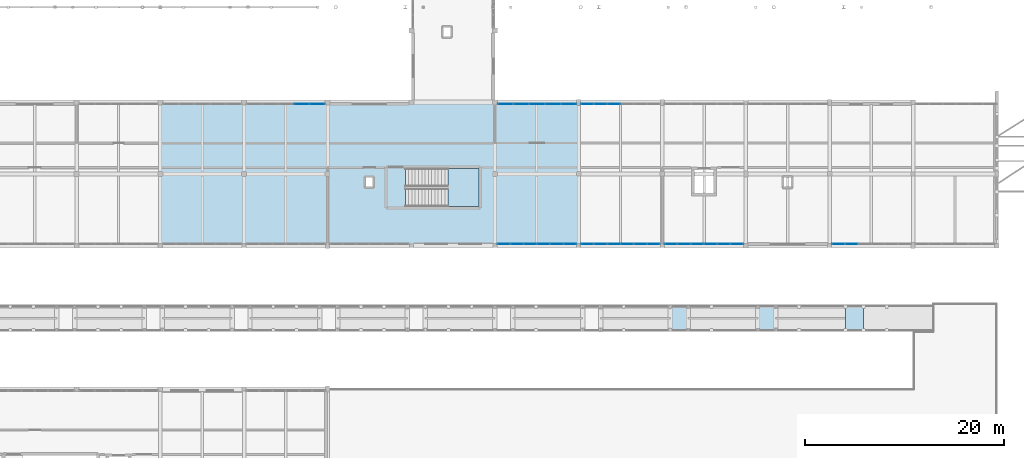
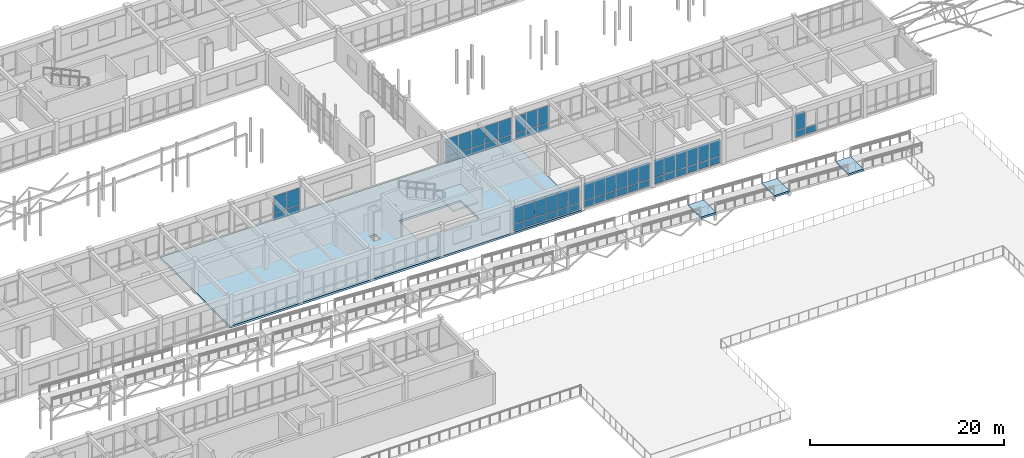
# One storey, part 65 of 89: 59 plates, 5 slabs, 9 elements without a shape of their own.
"""IFC4 building model written with IfcOpenShell, lengths in metres."""

from ifc_helpers import new_model, si_unit, direction, frame, origin, origin_2d, place, context, subcontext, project, spatial, polyline, rectangle, outline, extrude, material, layer, layer_set, type_object, element, aggregate, save


model = new_model("IFC4")

# Units and contexts
model_context = context("Model", 3, precision=1e-05, world=origin(), true_north=direction((0.0, 1.0)))
body_context = subcontext(model_context, "Body", "Model", "MODEL_VIEW")
ifc_project = project(units=[si_unit("LENGTHUNIT", "METRE"), si_unit("AREAUNIT", "SQUARE_METRE"), si_unit("VOLUMEUNIT", "CUBIC_METRE"), si_unit("PLANEANGLEUNIT", "RADIAN"), si_unit("MASSUNIT", "GRAM", prefix="KILO")], contexts=[model_context])

# Site, building, storey
site_placement = place(None, origin())
site = spatial("IfcSite", under=ifc_project, at=site_placement, CompositionType="ELEMENT")
building_placement = place(site_placement, origin())
building = spatial("IfcBuilding", under=site, at=building_placement, Name="Malvenik Polytechnic", CompositionType="ELEMENT")
storey_placement = place(building_placement, frame((0.0, 0.0, 13.5)))
storey = spatial("IfcBuildingStorey", under=building, at=storey_placement, Name="L03", CompositionType="ELEMENT", Elevation=13.5)

# Curtain wall, plates
ifc_material_1 = material(Name="Anodised aluminium 6060-T6", Category="aluminium")
curtain_wall_type = type_object("IfcCurtainWallType", Name="ARC-CW-CW-02", PredefinedType="NOTDEFINED", material=ifc_material_1)
curtain_wall_1_placement = place(storey_placement, origin())
curtain_wall_1 = element("IfcCurtainWall", 1, at=curtain_wall_1_placement, inside=storey, type_object=curtain_wall_type, Name="Unitised Curtain Wall CW-02 L03 #166", PredefinedType="NOTDEFINED")
ifc_material_2 = material(Name="Insulated low-E double glazing 8-16-8", Category="glass")
ifc_layer_1 = layer(ifc_material_2, 0.028076171875)
ifc_layer_set_1 = layer_set([ifc_layer_1], Name="Insulated low-E double glazing 8-16-8")
plate_type_1 = type_object("IfcPlateType", Name="ARC-CWP-CP-GLZ28", PredefinedType="CURTAIN_PANEL", material=ifc_layer_set_1)
plate_1_placement = place(storey_placement, frame((64.580810546875, 93.429931640625, 0.929931640625), z_axis=(0.0, 0.0, 1.0), x_axis=(1.0, 0.0, 0.0)))
plate_1 = element("IfcPlate", 2, at=plate_1_placement, type_object=plate_type_1, Name="CW-02 panel 4.2", PredefinedType="CURTAIN_PANEL", context=body_context, shape_type="SweptSolid", body=[
    extrude(rectangle(XDim=1.520751953125, YDim=0.028076171875, at=origin_2d()), origin(), (0.0, 0.0, 1.0), 2.169921875),
])
plate_2_placement = place(storey_placement, frame((66.146484375, 93.429931640625, 0.929931640625), z_axis=(0.0, 0.0, 1.0), x_axis=(1.0, 0.0, 0.0)))
plate_2 = element("IfcPlate", 3, at=plate_2_placement, type_object=plate_type_1, Name="CW-02 panel 5.2", PredefinedType="CURTAIN_PANEL", context=body_context, shape_type="SweptSolid", body=[
    extrude(rectangle(XDim=1.49072265625, YDim=0.028076171875, at=origin_2d()), origin(), (0.0, 0.0, 1.0), 2.169921875),
])

curtain_wall_2_placement = place(storey_placement, origin())
curtain_wall_2 = element("IfcCurtainWall", 4, at=curtain_wall_2_placement, inside=storey, type_object=curtain_wall_type, Name="Unitised Curtain Wall CW-02 L03 #188", PredefinedType="NOTDEFINED")
plate_3_placement = place(storey_placement, frame((85.058349609375, 93.429931640625, 0.929931640625), z_axis=(0.0, 0.0, 1.0), x_axis=(1.0, 0.0, 0.0)))
plate_3 = element("IfcPlate", 5, at=plate_3_placement, type_object=plate_type_1, Name="CW-02 panel 1.2", PredefinedType="CURTAIN_PANEL", context=body_context, shape_type="SweptSolid", body=[
    extrude(rectangle(XDim=1.500732421875, YDim=0.028076171875, at=origin_2d()), origin(), (0.0, 0.0, 1.0), 2.169921875),
])
plate_4_placement = place(storey_placement, frame((86.63427734375, 93.429931640625, 0.929931640625), z_axis=(0.0, 0.0, 1.0), x_axis=(1.0, 0.0, 0.0)))
plate_4 = element("IfcPlate", 6, at=plate_4_placement, type_object=plate_type_1, Name="CW-02 panel 2.2", PredefinedType="CURTAIN_PANEL", context=body_context, shape_type="SweptSolid", body=[
    extrude(rectangle(XDim=1.53076171875, YDim=0.028076171875, at=origin_2d()), origin(), (0.0, 0.0, 1.0), 2.169921875),
])
plate_5_placement = place(storey_placement, frame((88.22509765625, 93.429931640625, 0.929931640625), z_axis=(0.0, 0.0, 1.0), x_axis=(1.0, 0.0, 0.0)))
plate_5 = element("IfcPlate", 7, at=plate_5_placement, type_object=plate_type_1, Name="CW-02 panel 3.2", PredefinedType="CURTAIN_PANEL", context=body_context, shape_type="SweptSolid", body=[
    extrude(rectangle(XDim=1.53076171875, YDim=0.028076171875, at=origin_2d()), origin(), (0.0, 0.0, 1.0), 2.169921875),
])
plate_6_placement = place(storey_placement, frame((89.81591796875, 93.429931640625, 0.929931640625), z_axis=(0.0, 0.0, 1.0), x_axis=(1.0, 0.0, 0.0)))
plate_6 = element("IfcPlate", 8, at=plate_6_placement, type_object=plate_type_1, Name="CW-02 panel 4.2", PredefinedType="CURTAIN_PANEL", context=body_context, shape_type="SweptSolid", body=[
    extrude(rectangle(XDim=1.53076171875, YDim=0.028076171875, at=origin_2d()), origin(), (0.0, 0.0, 1.0), 2.169921875),
])
plate_7_placement = place(storey_placement, frame((91.3916015625, 93.429931640625, 0.929931640625), z_axis=(0.0, 0.0, 1.0), x_axis=(1.0, 0.0, 0.0)))
plate_7 = element("IfcPlate", 9, at=plate_7_placement, type_object=plate_type_1, Name="CW-02 panel 5.2", PredefinedType="CURTAIN_PANEL", context=body_context, shape_type="SweptSolid", body=[
    extrude(rectangle(XDim=1.500732421875, YDim=0.028076171875, at=origin_2d()), origin(), (0.0, 0.0, 1.0), 2.169921875),
])

curtain_wall_3_placement = place(storey_placement, origin())
curtain_wall_3 = element("IfcCurtainWall", 10, at=curtain_wall_3_placement, inside=storey, type_object=curtain_wall_type, Name="Unitised Curtain Wall CW-02 L03 #189", PredefinedType="NOTDEFINED")
plate_8_placement = place(storey_placement, frame((93.280029296875, 93.429931640625, 0.929931640625), z_axis=(0.0, 0.0, 1.0), x_axis=(1.0, 0.0, 0.0)))
plate_8 = element("IfcPlate", 11, at=plate_8_placement, type_object=plate_type_1, Name="CW-02 panel 1.2", PredefinedType="CURTAIN_PANEL", context=body_context, shape_type="SweptSolid", body=[
    extrude(rectangle(XDim=1.243896484375, YDim=0.028076171875, at=origin_2d()), origin(), (0.0, 0.0, 1.0), 2.169921875),
])
plate_9_placement = place(storey_placement, frame((94.59912109375, 93.429931640625, 0.929931640625), z_axis=(0.0, 0.0, 1.0), x_axis=(1.0, 0.0, 0.0)))
plate_9 = element("IfcPlate", 12, at=plate_9_placement, type_object=plate_type_1, Name="CW-02 panel 2.2", PredefinedType="CURTAIN_PANEL", context=body_context, shape_type="SweptSolid", body=[
    extrude(rectangle(XDim=1.27392578125, YDim=0.028076171875, at=origin_2d()), origin(), (0.0, 0.0, 1.0), 2.169921875),
])
plate_10_placement = place(storey_placement, frame((95.93310546875, 93.429931640625, 0.929931640625), z_axis=(0.0, 0.0, 1.0), x_axis=(1.0, 0.0, 0.0)))
plate_10 = element("IfcPlate", 13, at=plate_10_placement, type_object=plate_type_1, Name="CW-02 panel 3.2", PredefinedType="CURTAIN_PANEL", context=body_context, shape_type="SweptSolid", body=[
    extrude(rectangle(XDim=1.27392578125, YDim=0.028076171875, at=origin_2d()), origin(), (0.0, 0.0, 1.0), 2.169921875),
])

# Curtain wall, plate
curtain_wall_4_placement = place(storey_placement, origin())
curtain_wall_4 = element("IfcCurtainWall", 14, at=curtain_wall_4_placement, inside=storey, type_object=curtain_wall_type, Name="Unitised Curtain Wall CW-02 L03 #194", PredefinedType="NOTDEFINED")
plate_11_placement = place(storey_placement, frame((118.47998046875, 79.3701171875, 0.929931640625), z_axis=(0.0, 0.0, 1.0), x_axis=(-1.0, 0.0, 0.0)))
plate_11 = element("IfcPlate", 15, at=plate_11_placement, type_object=plate_type_1, Name="CW-02 panel 6.2", PredefinedType="CURTAIN_PANEL", context=body_context, shape_type="SweptSolid", body=[
    extrude(rectangle(XDim=1.243896484375, YDim=0.028076171875, at=origin_2d()), origin(), (0.0, 0.0, 1.0), 2.169921875),
])

# Curtain wall, plates
curtain_wall_5_placement = place(storey_placement, origin())
curtain_wall_5 = element("IfcCurtainWall", 16, at=curtain_wall_5_placement, inside=storey, type_object=curtain_wall_type, Name="Unitised Curtain Wall CW-02 L03 #195", PredefinedType="NOTDEFINED")
plate_12_placement = place(storey_placement, frame((108.297119140625, 79.3701171875, 0.929931640625), z_axis=(0.0, 0.0, 1.0), x_axis=(-1.0, 0.0, 0.0)))
plate_12 = element("IfcPlate", 17, at=plate_12_placement, type_object=plate_type_1, Name="CW-02 panel 1.2", PredefinedType="CURTAIN_PANEL", context=body_context, shape_type="SweptSolid", body=[
    extrude(rectangle(XDim=1.23974609375, YDim=0.028076171875, at=origin_2d()), origin(), (0.0, 0.0, 1.0), 2.169921875),
])
plate_13_placement = place(storey_placement, frame((106.982177734375, 79.3701171875, 0.929931640625), z_axis=(0.0, 0.0, 1.0), x_axis=(-1.0, 0.0, 0.0)))
plate_13 = element("IfcPlate", 18, at=plate_13_placement, type_object=plate_type_1, Name="CW-02 panel 2.2", PredefinedType="CURTAIN_PANEL", context=body_context, shape_type="SweptSolid", body=[
    extrude(rectangle(XDim=1.269775390625, YDim=0.028076171875, at=origin_2d()), origin(), (0.0, 0.0, 1.0), 2.169921875),
])
plate_14_placement = place(storey_placement, frame((105.65234375, 79.3701171875, 0.929931640625), z_axis=(0.0, 0.0, 1.0), x_axis=(-1.0, 0.0, 0.0)))
plate_14 = element("IfcPlate", 19, at=plate_14_placement, type_object=plate_type_1, Name="CW-02 panel 3.2", PredefinedType="CURTAIN_PANEL", context=body_context, shape_type="SweptSolid", body=[
    extrude(rectangle(XDim=1.269775390625, YDim=0.028076171875, at=origin_2d()), origin(), (0.0, 0.0, 1.0), 2.169921875),
])
plate_15_placement = place(storey_placement, frame((104.322509765625, 79.3701171875, 0.929931640625), z_axis=(0.0, 0.0, 1.0), x_axis=(-1.0, 0.0, 0.0)))
plate_15 = element("IfcPlate", 20, at=plate_15_placement, type_object=plate_type_1, Name="CW-02 panel 4.2", PredefinedType="CURTAIN_PANEL", context=body_context, shape_type="SweptSolid", body=[
    extrude(rectangle(XDim=1.269775390625, YDim=0.028076171875, at=origin_2d()), origin(), (0.0, 0.0, 1.0), 2.169921875),
])
plate_16_placement = place(storey_placement, frame((102.99267578125, 79.3701171875, 0.929931640625), z_axis=(0.0, 0.0, 1.0), x_axis=(-1.0, 0.0, 0.0)))
plate_16 = element("IfcPlate", 21, at=plate_16_placement, type_object=plate_type_1, Name="CW-02 panel 5.2", PredefinedType="CURTAIN_PANEL", context=body_context, shape_type="SweptSolid", body=[
    extrude(rectangle(XDim=1.269775390625, YDim=0.028076171875, at=origin_2d()), origin(), (0.0, 0.0, 1.0), 2.169921875),
])
plate_17_placement = place(storey_placement, frame((101.677978515625, 79.3701171875, 0.929931640625), z_axis=(0.0, 0.0, 1.0), x_axis=(-1.0, 0.0, 0.0)))
plate_17 = element("IfcPlate", 22, at=plate_17_placement, type_object=plate_type_1, Name="CW-02 panel 6.2", PredefinedType="CURTAIN_PANEL", context=body_context, shape_type="SweptSolid", body=[
    extrude(rectangle(XDim=1.23974609375, YDim=0.028076171875, at=origin_2d()), origin(), (0.0, 0.0, 1.0), 2.169921875),
])

curtain_wall_6_placement = place(storey_placement, origin())
curtain_wall_6 = element("IfcCurtainWall", 23, at=curtain_wall_6_placement, inside=storey, type_object=curtain_wall_type, Name="Unitised Curtain Wall CW-02 L03 #196", PredefinedType="NOTDEFINED")
plate_18_placement = place(storey_placement, frame((99.919921875, 79.3701171875, 0.929931640625), z_axis=(0.0, 0.0, 1.0), x_axis=(-1.0, 0.0, 0.0)))
plate_18 = element("IfcPlate", 24, at=plate_18_placement, type_object=plate_type_1, Name="CW-02 panel 1.2", PredefinedType="CURTAIN_PANEL", context=body_context, shape_type="SweptSolid", body=[
    extrude(rectangle(XDim=1.243896484375, YDim=0.028076171875, at=origin_2d()), origin(), (0.0, 0.0, 1.0), 2.169921875),
])
plate_19_placement = place(storey_placement, frame((98.60107421875, 79.3701171875, 0.929931640625), z_axis=(0.0, 0.0, 1.0), x_axis=(-1.0, 0.0, 0.0)))
plate_19 = element("IfcPlate", 25, at=plate_19_placement, type_object=plate_type_1, Name="CW-02 panel 2.2", PredefinedType="CURTAIN_PANEL", context=body_context, shape_type="SweptSolid", body=[
    extrude(rectangle(XDim=1.27392578125, YDim=0.028076171875, at=origin_2d()), origin(), (0.0, 0.0, 1.0), 2.169921875),
])
plate_20_placement = place(storey_placement, frame((97.26708984375, 79.3701171875, 0.929931640625), z_axis=(0.0, 0.0, 1.0), x_axis=(-1.0, 0.0, 0.0)))
plate_20 = element("IfcPlate", 26, at=plate_20_placement, type_object=plate_type_1, Name="CW-02 panel 3.2", PredefinedType="CURTAIN_PANEL", context=body_context, shape_type="SweptSolid", body=[
    extrude(rectangle(XDim=1.27392578125, YDim=0.028076171875, at=origin_2d()), origin(), (0.0, 0.0, 1.0), 2.169921875),
])
plate_21_placement = place(storey_placement, frame((95.93310546875, 79.3701171875, 0.929931640625), z_axis=(0.0, 0.0, 1.0), x_axis=(-1.0, 0.0, 0.0)))
plate_21 = element("IfcPlate", 27, at=plate_21_placement, type_object=plate_type_1, Name="CW-02 panel 4.2", PredefinedType="CURTAIN_PANEL", context=body_context, shape_type="SweptSolid", body=[
    extrude(rectangle(XDim=1.27392578125, YDim=0.028076171875, at=origin_2d()), origin(), (0.0, 0.0, 1.0), 2.169921875),
])
plate_22_placement = place(storey_placement, frame((94.59912109375, 79.3701171875, 0.929931640625), z_axis=(0.0, 0.0, 1.0), x_axis=(-1.0, 0.0, 0.0)))
plate_22 = element("IfcPlate", 28, at=plate_22_placement, type_object=plate_type_1, Name="CW-02 panel 5.2", PredefinedType="CURTAIN_PANEL", context=body_context, shape_type="SweptSolid", body=[
    extrude(rectangle(XDim=1.27392578125, YDim=0.028076171875, at=origin_2d()), origin(), (0.0, 0.0, 1.0), 2.169921875),
])
plate_23_placement = place(storey_placement, frame((93.280029296875, 79.3701171875, 0.929931640625), z_axis=(0.0, 0.0, 1.0), x_axis=(-1.0, 0.0, 0.0)))
plate_23 = element("IfcPlate", 29, at=plate_23_placement, type_object=plate_type_1, Name="CW-02 panel 6.2", PredefinedType="CURTAIN_PANEL", context=body_context, shape_type="SweptSolid", body=[
    extrude(rectangle(XDim=1.243896484375, YDim=0.028076171875, at=origin_2d()), origin(), (0.0, 0.0, 1.0), 2.169921875),
])

curtain_wall_7_placement = place(storey_placement, origin())
curtain_wall_7 = element("IfcCurtainWall", 30, at=curtain_wall_7_placement, inside=storey, type_object=curtain_wall_type, Name="Unitised Curtain Wall CW-02 L03 #197", PredefinedType="NOTDEFINED")
plate_24_placement = place(storey_placement, frame((91.52001953125, 79.3701171875, 0.929931640625), z_axis=(0.0, 0.0, 1.0), x_axis=(-1.0, 0.0, 0.0)))
plate_24 = element("IfcPlate", 31, at=plate_24_placement, type_object=plate_type_1, Name="CW-02 panel 1.2", PredefinedType="CURTAIN_PANEL", context=body_context, shape_type="SweptSolid", body=[
    extrude(rectangle(XDim=1.243896484375, YDim=0.028076171875, at=origin_2d()), origin(), (0.0, 0.0, 1.0), 2.169921875),
])
plate_25_placement = place(storey_placement, frame((90.200927734375, 79.3701171875, 0.929931640625), z_axis=(0.0, 0.0, 1.0), x_axis=(-1.0, 0.0, 0.0)))
plate_25 = element("IfcPlate", 32, at=plate_25_placement, type_object=plate_type_1, Name="CW-02 panel 2.2", PredefinedType="CURTAIN_PANEL", context=body_context, shape_type="SweptSolid", body=[
    extrude(rectangle(XDim=1.27392578125, YDim=0.028076171875, at=origin_2d()), origin(), (0.0, 0.0, 1.0), 2.169921875),
])
plate_26_placement = place(storey_placement, frame((88.866943359375, 79.3701171875, 0.929931640625), z_axis=(0.0, 0.0, 1.0), x_axis=(-1.0, 0.0, 0.0)))
plate_26 = element("IfcPlate", 33, at=plate_26_placement, type_object=plate_type_1, Name="CW-02 panel 3.2", PredefinedType="CURTAIN_PANEL", context=body_context, shape_type="SweptSolid", body=[
    extrude(rectangle(XDim=1.27392578125, YDim=0.028076171875, at=origin_2d()), origin(), (0.0, 0.0, 1.0), 2.169921875),
])
plate_27_placement = place(storey_placement, frame((87.532958984375, 79.3701171875, 0.929931640625), z_axis=(0.0, 0.0, 1.0), x_axis=(-1.0, 0.0, 0.0)))
plate_27 = element("IfcPlate", 34, at=plate_27_placement, type_object=plate_type_1, Name="CW-02 panel 4.2", PredefinedType="CURTAIN_PANEL", context=body_context, shape_type="SweptSolid", body=[
    extrude(rectangle(XDim=1.27392578125, YDim=0.028076171875, at=origin_2d()), origin(), (0.0, 0.0, 1.0), 2.169921875),
])
plate_28_placement = place(storey_placement, frame((86.198974609375, 79.3701171875, 0.929931640625), z_axis=(0.0, 0.0, 1.0), x_axis=(-1.0, 0.0, 0.0)))
plate_28 = element("IfcPlate", 35, at=plate_28_placement, type_object=plate_type_1, Name="CW-02 panel 5.2", PredefinedType="CURTAIN_PANEL", context=body_context, shape_type="SweptSolid", body=[
    extrude(rectangle(XDim=1.27392578125, YDim=0.028076171875, at=origin_2d()), origin(), (0.0, 0.0, 1.0), 2.169921875),
])
plate_29_placement = place(storey_placement, frame((84.8798828125, 79.3701171875, 0.929931640625), z_axis=(0.0, 0.0, 1.0), x_axis=(-1.0, 0.0, 0.0)))
plate_29 = element("IfcPlate", 36, at=plate_29_placement, type_object=plate_type_1, Name="CW-02 panel 6.2", PredefinedType="CURTAIN_PANEL", context=body_context, shape_type="SweptSolid", body=[
    extrude(rectangle(XDim=1.243896484375, YDim=0.028076171875, at=origin_2d()), origin(), (0.0, 0.0, 1.0), 2.169921875),
])

# Plate
ifc_material_3 = material(Name="Insulated aluminium spandrel cassette 42mm", Category="aluminium")
ifc_layer_2 = layer(ifc_material_3, 0.0419921875)
ifc_layer_set_2 = layer_set([ifc_layer_2], Name="Insulated aluminium spandrel cassette 42mm")
plate_type_2 = type_object("IfcPlateType", Name="ARC-CWP-CP-SPN42", PredefinedType="CURTAIN_PANEL", material=ifc_layer_set_2)
plate_30_placement = place(storey_placement, frame((64.580810546875, 93.429931640625, 0.06005859375), z_axis=(0.0, 0.0, 1.0), x_axis=(1.0, 0.0, 0.0)))
plate_30 = element("IfcPlate", 37, at=plate_30_placement, type_object=plate_type_2, Name="CW-02 panel 4.1", PredefinedType="CURTAIN_PANEL", context=body_context, shape_type="SweptSolid", body=[
    extrude(rectangle(XDim=1.520751953125, YDim=0.028076171875, at=origin_2d()), origin(), (0.0, 0.0, 1.0), 0.81005859375),
])

plate_31_placement = place(storey_placement, frame((66.146484375, 93.429931640625, 0.06005859375), z_axis=(0.0, 0.0, 1.0), x_axis=(1.0, 0.0, 0.0)))
plate_31 = element("IfcPlate", 38, at=plate_31_placement, type_object=plate_type_2, Name="CW-02 panel 5.1", PredefinedType="CURTAIN_PANEL", context=body_context, shape_type="SweptSolid", body=[
    extrude(rectangle(XDim=1.49072265625, YDim=0.028076171875, at=origin_2d()), origin(), (0.0, 0.0, 1.0), 0.81005859375),
])

aggregate(curtain_wall_1, [plate_30, plate_1, plate_31, plate_2])

plate_32_placement = place(storey_placement, frame((85.058349609375, 93.429931640625, 0.06005859375), z_axis=(0.0, 0.0, 1.0), x_axis=(1.0, 0.0, 0.0)))
plate_32 = element("IfcPlate", 39, at=plate_32_placement, type_object=plate_type_2, Name="CW-02 panel 1.1", PredefinedType="CURTAIN_PANEL", context=body_context, shape_type="SweptSolid", body=[
    extrude(rectangle(XDim=1.500732421875, YDim=0.028076171875, at=origin_2d()), origin(), (0.0, 0.0, 1.0), 0.81005859375),
])

plate_33_placement = place(storey_placement, frame((86.63427734375, 93.429931640625, 0.06005859375), z_axis=(0.0, 0.0, 1.0), x_axis=(1.0, 0.0, 0.0)))
plate_33 = element("IfcPlate", 40, at=plate_33_placement, type_object=plate_type_2, Name="CW-02 panel 2.1", PredefinedType="CURTAIN_PANEL", context=body_context, shape_type="SweptSolid", body=[
    extrude(rectangle(XDim=1.53076171875, YDim=0.028076171875, at=origin_2d()), origin(), (0.0, 0.0, 1.0), 0.81005859375),
])

plate_34_placement = place(storey_placement, frame((88.22509765625, 93.429931640625, 0.06005859375), z_axis=(0.0, 0.0, 1.0), x_axis=(1.0, 0.0, 0.0)))
plate_34 = element("IfcPlate", 41, at=plate_34_placement, type_object=plate_type_2, Name="CW-02 panel 3.1", PredefinedType="CURTAIN_PANEL", context=body_context, shape_type="SweptSolid", body=[
    extrude(rectangle(XDim=1.53076171875, YDim=0.028076171875, at=origin_2d()), origin(), (0.0, 0.0, 1.0), 0.81005859375),
])

plate_35_placement = place(storey_placement, frame((89.81591796875, 93.429931640625, 0.06005859375), z_axis=(0.0, 0.0, 1.0), x_axis=(1.0, 0.0, 0.0)))
plate_35 = element("IfcPlate", 42, at=plate_35_placement, type_object=plate_type_2, Name="CW-02 panel 4.1", PredefinedType="CURTAIN_PANEL", context=body_context, shape_type="SweptSolid", body=[
    extrude(rectangle(XDim=1.53076171875, YDim=0.028076171875, at=origin_2d()), origin(), (0.0, 0.0, 1.0), 0.81005859375),
])

plate_36_placement = place(storey_placement, frame((91.3916015625, 93.429931640625, 0.06005859375), z_axis=(0.0, 0.0, 1.0), x_axis=(1.0, 0.0, 0.0)))
plate_36 = element("IfcPlate", 43, at=plate_36_placement, type_object=plate_type_2, Name="CW-02 panel 5.1", PredefinedType="CURTAIN_PANEL", context=body_context, shape_type="SweptSolid", body=[
    extrude(rectangle(XDim=1.500732421875, YDim=0.028076171875, at=origin_2d()), origin(), (0.0, 0.0, 1.0), 0.81005859375),
])

aggregate(curtain_wall_2, [plate_32, plate_3, plate_33, plate_4, plate_34, plate_5, plate_35, plate_6, plate_36, plate_7])

plate_37_placement = place(storey_placement, frame((93.280029296875, 93.429931640625, 0.06005859375), z_axis=(0.0, 0.0, 1.0), x_axis=(1.0, 0.0, 0.0)))
plate_37 = element("IfcPlate", 44, at=plate_37_placement, type_object=plate_type_2, Name="CW-02 panel 1.1", PredefinedType="CURTAIN_PANEL", context=body_context, shape_type="SweptSolid", body=[
    extrude(rectangle(XDim=1.243896484375, YDim=0.028076171875, at=origin_2d()), origin(), (0.0, 0.0, 1.0), 0.81005859375),
])

plate_38_placement = place(storey_placement, frame((94.59912109375, 93.429931640625, 0.06005859375), z_axis=(0.0, 0.0, 1.0), x_axis=(1.0, 0.0, 0.0)))
plate_38 = element("IfcPlate", 45, at=plate_38_placement, type_object=plate_type_2, Name="CW-02 panel 2.1", PredefinedType="CURTAIN_PANEL", context=body_context, shape_type="SweptSolid", body=[
    extrude(rectangle(XDim=1.27392578125, YDim=0.028076171875, at=origin_2d()), origin(), (0.0, 0.0, 1.0), 0.81005859375),
])

plate_39_placement = place(storey_placement, frame((95.93310546875, 93.429931640625, 0.06005859375), z_axis=(0.0, 0.0, 1.0), x_axis=(1.0, 0.0, 0.0)))
plate_39 = element("IfcPlate", 46, at=plate_39_placement, type_object=plate_type_2, Name="CW-02 panel 3.1", PredefinedType="CURTAIN_PANEL", context=body_context, shape_type="SweptSolid", body=[
    extrude(rectangle(XDim=1.27392578125, YDim=0.028076171875, at=origin_2d()), origin(), (0.0, 0.0, 1.0), 0.81005859375),
])

aggregate(curtain_wall_3, [plate_37, plate_8, plate_38, plate_9, plate_39, plate_10])

plate_40_placement = place(storey_placement, frame((119.799072265625, 79.3701171875, 0.06005859375), z_axis=(0.0, 0.0, 1.0), x_axis=(-1.0, 0.0, 0.0)))
plate_40 = element("IfcPlate", 47, at=plate_40_placement, type_object=plate_type_2, Name="CW-02 panel 5.1", PredefinedType="CURTAIN_PANEL", context=body_context, shape_type="SweptSolid", body=[
    extrude(rectangle(XDim=1.27392578125, YDim=0.028076171875, at=origin_2d()), origin(), (0.0, 0.0, 1.0), 0.81005859375),
])

plate_41_placement = place(storey_placement, frame((118.47998046875, 79.3701171875, 0.06005859375), z_axis=(0.0, 0.0, 1.0), x_axis=(-1.0, 0.0, 0.0)))
plate_41 = element("IfcPlate", 48, at=plate_41_placement, type_object=plate_type_2, Name="CW-02 panel 6.1", PredefinedType="CURTAIN_PANEL", context=body_context, shape_type="SweptSolid", body=[
    extrude(rectangle(XDim=1.243896484375, YDim=0.028076171875, at=origin_2d()), origin(), (0.0, 0.0, 1.0), 0.81005859375),
])

aggregate(curtain_wall_4, [plate_40, plate_41, plate_11])

plate_42_placement = place(storey_placement, frame((108.297119140625, 79.3701171875, 0.06005859375), z_axis=(0.0, 0.0, 1.0), x_axis=(-1.0, 0.0, 0.0)))
plate_42 = element("IfcPlate", 49, at=plate_42_placement, type_object=plate_type_2, Name="CW-02 panel 1.1", PredefinedType="CURTAIN_PANEL", context=body_context, shape_type="SweptSolid", body=[
    extrude(rectangle(XDim=1.23974609375, YDim=0.028076171875, at=origin_2d()), origin(), (0.0, 0.0, 1.0), 0.81005859375),
])

plate_43_placement = place(storey_placement, frame((106.982177734375, 79.3701171875, 0.06005859375), z_axis=(0.0, 0.0, 1.0), x_axis=(-1.0, 0.0, 0.0)))
plate_43 = element("IfcPlate", 50, at=plate_43_placement, type_object=plate_type_2, Name="CW-02 panel 2.1", PredefinedType="CURTAIN_PANEL", context=body_context, shape_type="SweptSolid", body=[
    extrude(rectangle(XDim=1.269775390625, YDim=0.028076171875, at=origin_2d()), origin(), (0.0, 0.0, 1.0), 0.81005859375),
])

plate_44_placement = place(storey_placement, frame((105.65234375, 79.3701171875, 0.06005859375), z_axis=(0.0, 0.0, 1.0), x_axis=(-1.0, 0.0, 0.0)))
plate_44 = element("IfcPlate", 51, at=plate_44_placement, type_object=plate_type_2, Name="CW-02 panel 3.1", PredefinedType="CURTAIN_PANEL", context=body_context, shape_type="SweptSolid", body=[
    extrude(rectangle(XDim=1.269775390625, YDim=0.028076171875, at=origin_2d()), origin(), (0.0, 0.0, 1.0), 0.81005859375),
])

plate_45_placement = place(storey_placement, frame((104.322509765625, 79.3701171875, 0.06005859375), z_axis=(0.0, 0.0, 1.0), x_axis=(-1.0, 0.0, 0.0)))
plate_45 = element("IfcPlate", 52, at=plate_45_placement, type_object=plate_type_2, Name="CW-02 panel 4.1", PredefinedType="CURTAIN_PANEL", context=body_context, shape_type="SweptSolid", body=[
    extrude(rectangle(XDim=1.269775390625, YDim=0.028076171875, at=origin_2d()), origin(), (0.0, 0.0, 1.0), 0.81005859375),
])

plate_46_placement = place(storey_placement, frame((102.99267578125, 79.3701171875, 0.06005859375), z_axis=(0.0, 0.0, 1.0), x_axis=(-1.0, 0.0, 0.0)))
plate_46 = element("IfcPlate", 53, at=plate_46_placement, type_object=plate_type_2, Name="CW-02 panel 5.1", PredefinedType="CURTAIN_PANEL", context=body_context, shape_type="SweptSolid", body=[
    extrude(rectangle(XDim=1.269775390625, YDim=0.028076171875, at=origin_2d()), origin(), (0.0, 0.0, 1.0), 0.81005859375),
])

plate_47_placement = place(storey_placement, frame((101.677978515625, 79.3701171875, 0.06005859375), z_axis=(0.0, 0.0, 1.0), x_axis=(-1.0, 0.0, 0.0)))
plate_47 = element("IfcPlate", 54, at=plate_47_placement, type_object=plate_type_2, Name="CW-02 panel 6.1", PredefinedType="CURTAIN_PANEL", context=body_context, shape_type="SweptSolid", body=[
    extrude(rectangle(XDim=1.23974609375, YDim=0.028076171875, at=origin_2d()), origin(), (0.0, 0.0, 1.0), 0.81005859375),
])

aggregate(curtain_wall_5, [plate_42, plate_12, plate_43, plate_13, plate_44, plate_14, plate_45, plate_15, plate_46, plate_16, plate_47, plate_17])

plate_48_placement = place(storey_placement, frame((99.919921875, 79.3701171875, 0.06005859375), z_axis=(0.0, 0.0, 1.0), x_axis=(-1.0, 0.0, 0.0)))
plate_48 = element("IfcPlate", 55, at=plate_48_placement, type_object=plate_type_2, Name="CW-02 panel 1.1", PredefinedType="CURTAIN_PANEL", context=body_context, shape_type="SweptSolid", body=[
    extrude(rectangle(XDim=1.243896484375, YDim=0.028076171875, at=origin_2d()), origin(), (0.0, 0.0, 1.0), 0.81005859375),
])

plate_49_placement = place(storey_placement, frame((98.60107421875, 79.3701171875, 0.06005859375), z_axis=(0.0, 0.0, 1.0), x_axis=(-1.0, 0.0, 0.0)))
plate_49 = element("IfcPlate", 56, at=plate_49_placement, type_object=plate_type_2, Name="CW-02 panel 2.1", PredefinedType="CURTAIN_PANEL", context=body_context, shape_type="SweptSolid", body=[
    extrude(rectangle(XDim=1.27392578125, YDim=0.028076171875, at=origin_2d()), origin(), (0.0, 0.0, 1.0), 0.81005859375),
])

plate_50_placement = place(storey_placement, frame((97.26708984375, 79.3701171875, 0.06005859375), z_axis=(0.0, 0.0, 1.0), x_axis=(-1.0, 0.0, 0.0)))
plate_50 = element("IfcPlate", 57, at=plate_50_placement, type_object=plate_type_2, Name="CW-02 panel 3.1", PredefinedType="CURTAIN_PANEL", context=body_context, shape_type="SweptSolid", body=[
    extrude(rectangle(XDim=1.27392578125, YDim=0.028076171875, at=origin_2d()), origin(), (0.0, 0.0, 1.0), 0.81005859375),
])

plate_51_placement = place(storey_placement, frame((95.93310546875, 79.3701171875, 0.06005859375), z_axis=(0.0, 0.0, 1.0), x_axis=(-1.0, 0.0, 0.0)))
plate_51 = element("IfcPlate", 58, at=plate_51_placement, type_object=plate_type_2, Name="CW-02 panel 4.1", PredefinedType="CURTAIN_PANEL", context=body_context, shape_type="SweptSolid", body=[
    extrude(rectangle(XDim=1.27392578125, YDim=0.028076171875, at=origin_2d()), origin(), (0.0, 0.0, 1.0), 0.81005859375),
])

plate_52_placement = place(storey_placement, frame((94.59912109375, 79.3701171875, 0.06005859375), z_axis=(0.0, 0.0, 1.0), x_axis=(-1.0, 0.0, 0.0)))
plate_52 = element("IfcPlate", 59, at=plate_52_placement, type_object=plate_type_2, Name="CW-02 panel 5.1", PredefinedType="CURTAIN_PANEL", context=body_context, shape_type="SweptSolid", body=[
    extrude(rectangle(XDim=1.27392578125, YDim=0.028076171875, at=origin_2d()), origin(), (0.0, 0.0, 1.0), 0.81005859375),
])

plate_53_placement = place(storey_placement, frame((93.280029296875, 79.3701171875, 0.06005859375), z_axis=(0.0, 0.0, 1.0), x_axis=(-1.0, 0.0, 0.0)))
plate_53 = element("IfcPlate", 60, at=plate_53_placement, type_object=plate_type_2, Name="CW-02 panel 6.1", PredefinedType="CURTAIN_PANEL", context=body_context, shape_type="SweptSolid", body=[
    extrude(rectangle(XDim=1.243896484375, YDim=0.028076171875, at=origin_2d()), origin(), (0.0, 0.0, 1.0), 0.81005859375),
])

aggregate(curtain_wall_6, [plate_48, plate_18, plate_49, plate_19, plate_50, plate_20, plate_51, plate_21, plate_52, plate_22, plate_53, plate_23])

plate_54_placement = place(storey_placement, frame((91.52001953125, 79.3701171875, 0.06005859375), z_axis=(0.0, 0.0, 1.0), x_axis=(-1.0, 0.0, 0.0)))
plate_54 = element("IfcPlate", 61, at=plate_54_placement, type_object=plate_type_2, Name="CW-02 panel 1.1", PredefinedType="CURTAIN_PANEL", context=body_context, shape_type="SweptSolid", body=[
    extrude(rectangle(XDim=1.243896484375, YDim=0.028076171875, at=origin_2d()), origin(), (0.0, 0.0, 1.0), 0.81005859375),
])

plate_55_placement = place(storey_placement, frame((90.200927734375, 79.3701171875, 0.06005859375), z_axis=(0.0, 0.0, 1.0), x_axis=(-1.0, 0.0, 0.0)))
plate_55 = element("IfcPlate", 62, at=plate_55_placement, type_object=plate_type_2, Name="CW-02 panel 2.1", PredefinedType="CURTAIN_PANEL", context=body_context, shape_type="SweptSolid", body=[
    extrude(rectangle(XDim=1.27392578125, YDim=0.028076171875, at=origin_2d()), origin(), (0.0, 0.0, 1.0), 0.81005859375),
])

plate_56_placement = place(storey_placement, frame((88.866943359375, 79.3701171875, 0.06005859375), z_axis=(0.0, 0.0, 1.0), x_axis=(-1.0, 0.0, 0.0)))
plate_56 = element("IfcPlate", 63, at=plate_56_placement, type_object=plate_type_2, Name="CW-02 panel 3.1", PredefinedType="CURTAIN_PANEL", context=body_context, shape_type="SweptSolid", body=[
    extrude(rectangle(XDim=1.27392578125, YDim=0.028076171875, at=origin_2d()), origin(), (0.0, 0.0, 1.0), 0.81005859375),
])

plate_57_placement = place(storey_placement, frame((87.532958984375, 79.3701171875, 0.06005859375), z_axis=(0.0, 0.0, 1.0), x_axis=(-1.0, 0.0, 0.0)))
plate_57 = element("IfcPlate", 64, at=plate_57_placement, type_object=plate_type_2, Name="CW-02 panel 4.1", PredefinedType="CURTAIN_PANEL", context=body_context, shape_type="SweptSolid", body=[
    extrude(rectangle(XDim=1.27392578125, YDim=0.028076171875, at=origin_2d()), origin(), (0.0, 0.0, 1.0), 0.81005859375),
])

plate_58_placement = place(storey_placement, frame((86.198974609375, 79.3701171875, 0.06005859375), z_axis=(0.0, 0.0, 1.0), x_axis=(-1.0, 0.0, 0.0)))
plate_58 = element("IfcPlate", 65, at=plate_58_placement, type_object=plate_type_2, Name="CW-02 panel 5.1", PredefinedType="CURTAIN_PANEL", context=body_context, shape_type="SweptSolid", body=[
    extrude(rectangle(XDim=1.27392578125, YDim=0.028076171875, at=origin_2d()), origin(), (0.0, 0.0, 1.0), 0.81005859375),
])

plate_59_placement = place(storey_placement, frame((84.8798828125, 79.3701171875, 0.06005859375), z_axis=(0.0, 0.0, 1.0), x_axis=(-1.0, 0.0, 0.0)))
plate_59 = element("IfcPlate", 66, at=plate_59_placement, type_object=plate_type_2, Name="CW-02 panel 6.1", PredefinedType="CURTAIN_PANEL", context=body_context, shape_type="SweptSolid", body=[
    extrude(rectangle(XDim=1.243896484375, YDim=0.028076171875, at=origin_2d()), origin(), (0.0, 0.0, 1.0), 0.81005859375),
])

aggregate(curtain_wall_7, [plate_54, plate_24, plate_55, plate_25, plate_56, plate_26, plate_57, plate_27, plate_58, plate_28, plate_59, plate_29])

# Ramp, slabs
ifc_material_4 = material(Name="Concrete C35/45", Category="concrete")
ramp_type = type_object("IfcRampType", Name="ARC-RMP-PED", PredefinedType="STRAIGHT_RUN_RAMP", material=ifc_material_4)
ramp_placement = place(storey_placement, origin())
ramp = element("IfcRamp", 67, at=ramp_placement, inside=storey, type_object=ramp_type, Name="Accessible Pedestrian Ramp RB-02", PredefinedType="STRAIGHT_RUN_RAMP")
ifc_layer_3 = layer(ifc_material_4, 0.219970703125)
ifc_layer_set_3 = layer_set([ifc_layer_3], Name="Concrete C35/45")
slab_type_1 = type_object("IfcSlabType", Name="ARC-SLB-RLND", PredefinedType="LANDING", material=ifc_layer_set_3)
slab_1_placement = place(storey_placement, frame((0.0, 0.0, 0.1298828125)))
slab_1 = element("IfcSlab", 68, at=slab_1_placement, type_object=slab_type_1, Name="Ramp Intermediate Landing RB-02 #1", PredefinedType="LANDING", context=body_context, shape_type="SweptSolid", body=[
    extrude(outline(polyline([(119.199951171875, 70.60009765625), (121.0, 70.60009765625), (121.0, 73.199951171875), (119.199951171875, 73.199951171875), (119.199951171875, 70.60009765625)])), origin(), (0.0, 0.0, 1.0), 0.22021484375),
])
slab_2_placement = place(storey_placement, frame((0.0, 0.0, 0.47998046875)))
slab_2 = element("IfcSlab", 69, at=slab_2_placement, type_object=slab_type_1, Name="Ramp Intermediate Landing RB-02 #2", PredefinedType="LANDING", context=body_context, shape_type="SweptSolid", body=[
    extrude(outline(polyline([(110.39990234375, 70.60009765625), (112.199951171875, 70.60009765625), (112.199951171875, 73.199951171875), (110.39990234375, 73.199951171875), (110.39990234375, 70.60009765625)])), origin(), (0.0, 0.0, 1.0), 0.219970703125),
])
slab_3_placement = place(storey_placement, frame((0.0, 0.0, 0.830078125)))
slab_3 = element("IfcSlab", 70, at=slab_3_placement, type_object=slab_type_1, Name="Ramp Intermediate Landing RB-02 #3", PredefinedType="LANDING", context=body_context, shape_type="SweptSolid", body=[
    extrude(outline(polyline([(101.60009765625, 70.60009765625), (103.39990234375, 70.60009765625), (103.39990234375, 73.199951171875), (101.60009765625, 73.199951171875), (101.60009765625, 70.60009765625)])), origin(), (0.0, 0.0, 1.0), 0.219970703125),
])
aggregate(ramp, [slab_1, slab_2, slab_3])

# Stair, slab
stair_type = type_object("IfcStairType", Name="ARC-STR-ST-05", PredefinedType="HALF_TURN_STAIR", material=ifc_material_4)
stair_placement = place(storey_placement, origin())
stair = element("IfcStair", 71, at=stair_placement, inside=storey, type_object=stair_type, Name="L03 Escape Stair ST-05", PredefinedType="HALF_TURN_STAIR")
ifc_layer_4 = layer(ifc_material_4, 0.199951171875)
ifc_layer_set_4 = layer_set([ifc_layer_4], Name="Concrete C35/45")
slab_type_2 = type_object("IfcSlabType", Name="ARC-SLB-STLND", PredefinedType="LANDING", material=ifc_layer_set_4)
slab_4_placement = place(storey_placement, frame((0.0, 0.0, 1.89990234375)))
slab_4 = element("IfcSlab", 72, at=slab_4_placement, type_object=slab_type_2, Name="ST-05 landing 1", PredefinedType="LANDING", context=body_context, shape_type="SweptSolid", body=[
    extrude(outline(polyline([(79.2900390625, 83.14990234375), (82.39990234375, 83.14990234375), (82.39990234375, 86.949951171875), (79.2900390625, 86.949951171875), (79.2900390625, 83.14990234375)])), origin(), (0.0, 0.0, 1.0), 0.2001953125),
])
aggregate(stair, [slab_4])

# Slab
ifc_layer_5 = layer(ifc_material_4, 0.260009765625)
ifc_layer_set_5 = layer_set([ifc_layer_5], Name="Concrete C35/45")
slab_type_3 = type_object("IfcSlabType", Name="STR-SLB-FLR-260", PredefinedType="FLOOR", material=ifc_layer_set_5)
slab_5_placement = place(storey_placement, frame((0.0, 0.0, -0.260009765625)))
element("IfcSlab", 73, at=slab_5_placement, inside=storey, type_object=slab_type_3, Name="Structural Slab L03-V2 #84", PredefinedType="FLOOR", context=body_context, shape_type="SweptSolid", body=[
    extrude(outline(polyline([(92.3798828125, 93.60009765625), (92.3798828125, 79.199951171875), (50.419921875, 79.199951171875), (50.419921875, 93.60009765625), (92.3798828125, 93.60009765625)]), holes=[polyline([(82.39990234375, 86.949951171875), (75.01806640625, 86.949951171875), (75.01806640625, 83.14990234375), (82.39990234375, 83.14990234375), (82.39990234375, 86.949951171875)]), polyline([(71.0, 86.050048828125), (71.0, 85.10009765625), (71.75, 85.10009765625), (71.75, 86.050048828125), (71.0, 86.050048828125)])]), origin(), (0.0, 0.0, 1.0), 0.260009765625),
])

save(model, "model.ifc")
